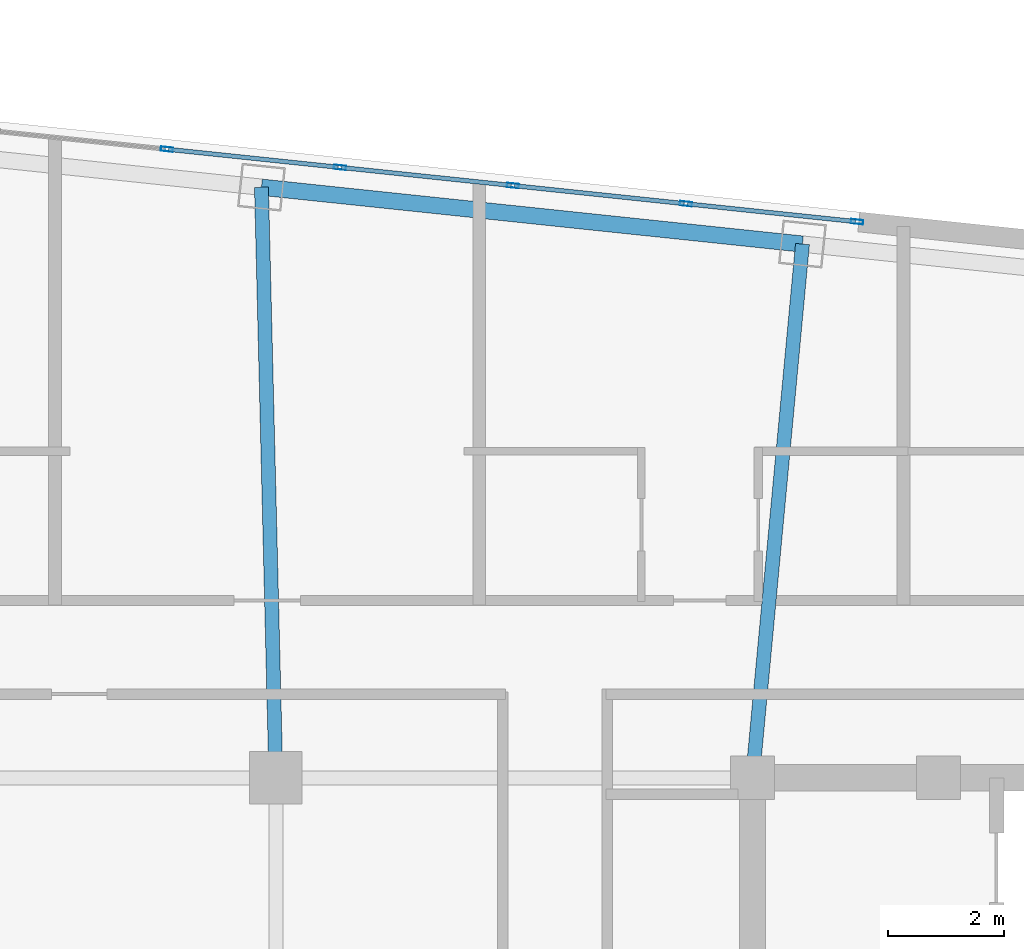
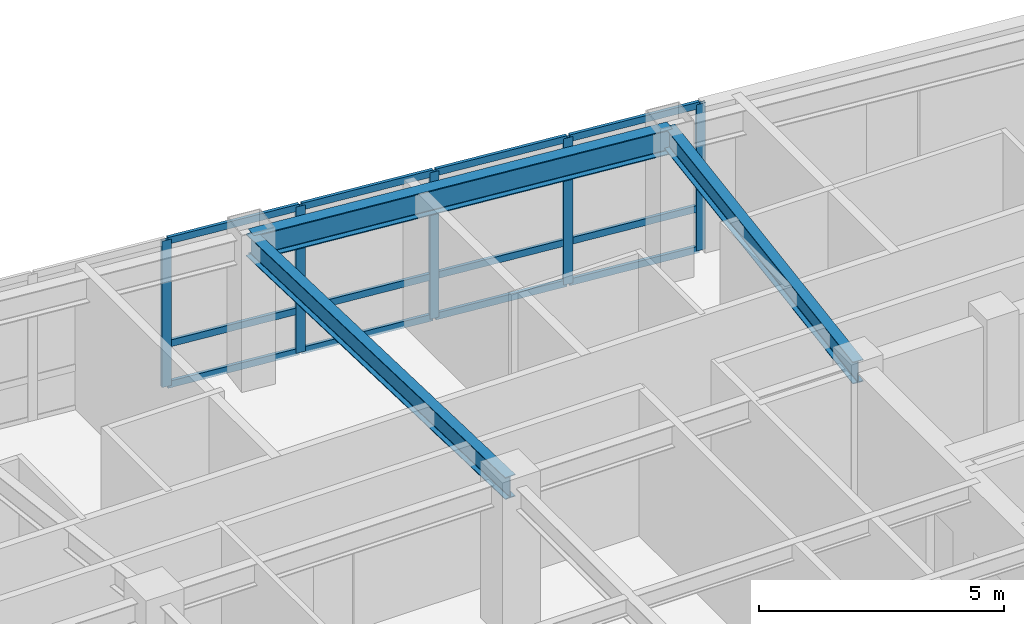
# One storey, part 6 of 15: 17 members, 3 beams, 1 element without a shape of its own.
"""IFC4 building model written with IfcOpenShell, lengths in metres."""

from ifc_helpers import new_model, si_unit, direction, frame, origin, origin_2d, place, context, subcontext, project, spatial, hollow_rectangle, i_section, extrude, material, layer, layer_set, material_profile, profile_set, type_object, element, aggregate, save


model = new_model("IFC4")

# Units and contexts
model_context = context("Model", 3, precision=1e-05, world=origin(), true_north=direction((0.0, 1.0)))
body_context = subcontext(model_context, "Body", "Model", "MODEL_VIEW")
ifc_project = project(units=[si_unit("LENGTHUNIT", "METRE"), si_unit("AREAUNIT", "SQUARE_METRE"), si_unit("VOLUMEUNIT", "CUBIC_METRE"), si_unit("PLANEANGLEUNIT", "RADIAN"), si_unit("MASSUNIT", "GRAM", prefix="KILO")], contexts=[model_context])

# Site, building, storey
site_placement = place(None, origin())
site = spatial("IfcSite", under=ifc_project, at=site_placement, CompositionType="ELEMENT")
building_placement = place(site_placement, origin())
building = spatial("IfcBuilding", under=site, at=building_placement, Name="Voryun Gate Residences", CompositionType="ELEMENT")
storey_placement = place(building_placement, frame((0.0, 0.0, 263.89990234375)))
storey = spatial("IfcBuildingStorey", under=building, at=storey_placement, Name="L65", CompositionType="ELEMENT", Elevation=263.89990234375)

# Beams
ifc_material_1 = material(Name="Steel SM355", Category="steel")
ifc_material_profile_1 = material_profile(ifc_material_1, i_section(OverallWidth=0.280029296875, OverallDepth=0.6201171875, WebThickness=0.013916015625, FlangeThickness=0.02197265625, FilletRadius=0.01806640625, at=origin_2d()), Name="H-620x280x14x22")
ifc_profile_set_1 = profile_set([ifc_material_profile_1], Name="Steel SM355")
beam_type_1 = type_object("IfcBeamType", Name="BM_EXO_SPANDREL_H", PredefinedType="SPANDREL", material=ifc_profile_set_1)
beam_1_placement = place(storey_placement, frame((13.26025390625, 16.5830078125, 3.340087890625), z_axis=(-0.994523018663, 0.104517775278, 0.0), x_axis=(-0.104517775278, -0.994523018663, 0.0)))
element("IfcBeam", 1, at=beam_1_placement, inside=storey, type_object=beam_type_1, Name="BM-L65-SPAND-12", PredefinedType="SPANDREL", context=body_context, shape_type="SweptSolid", body=[
    extrude(i_section(OverallWidth=0.280029296875, OverallDepth=0.6201171875, WebThickness=0.013916015625, FlangeThickness=0.02197265625, FilletRadius=0.01806640625, at=origin_2d()), origin(), (0.0, 0.0, 1.0), 9.35986328125),
])
ifc_material_2 = material(Name="Steel SM355", Category="steel")
ifc_material_profile_2 = material_profile(ifc_material_2, i_section(OverallWidth=0.239990234375, OverallDepth=0.550048828125, WebThickness=0.011962890625, FlangeThickness=0.02001953125, FilletRadius=0.01806640625, at=origin_2d()), Name="H-550x240x12x20")
ifc_profile_set_2 = profile_set([ifc_material_profile_2], Name="Steel SM355")
beam_type_2 = type_object("IfcBeamType", Name="BM_GIRD_550", PredefinedType="USERDEFINED", material=ifc_profile_set_2)
beam_2_placement = place(storey_placement, frame((12.39990234375, 7.39990234375, 3.375), z_axis=(0.093280030115, 0.995639912811, 0.0), x_axis=(-0.995639912811, 0.093280030115, 0.0)))
element("IfcBeam", 2, at=beam_2_placement, inside=storey, type_object=beam_type_2, Name="BM-L65-RAD-N2", ObjectType="GIRDER", PredefinedType="USERDEFINED", context=body_context, shape_type="SweptSolid", body=[
    extrude(i_section(OverallWidth=0.239990234375, OverallDepth=0.550048828125, WebThickness=0.011962890625, FlangeThickness=0.02001953125, FilletRadius=0.01806640625, at=origin_2d()), origin(), (0.0, 0.0, 1.0), 9.223388671875),
])
beam_3_placement = place(storey_placement, frame((4.199951171875, 7.39990234375, 3.375), z_axis=(-0.024427489288, 0.999701604364, 0.0), x_axis=(-0.999701604364, -0.024427489288, 0.0)))
element("IfcBeam", 3, at=beam_3_placement, inside=storey, type_object=beam_type_2, Name="BM-L65-RAD-N3", ObjectType="GIRDER", PredefinedType="USERDEFINED", context=body_context, shape_type="SweptSolid", body=[
    extrude(i_section(OverallWidth=0.239990234375, OverallDepth=0.550048828125, WebThickness=0.011962890625, FlangeThickness=0.02001953125, FilletRadius=0.01806640625, at=origin_2d()), origin(), (0.0, 0.0, 1.0), 10.164306640625),
])

# Curtain wall, members
ifc_material_3 = material(Name="Anodised aluminium", Category="aluminium")
ifc_layer = layer(ifc_material_3, 0.2099609375, Name="CW_SYS_SKYGARDEN_DARK_GLASS")
ifc_layer_set = layer_set([ifc_layer], Name="Anodised aluminium")
curtain_wall_type = type_object("IfcCurtainWallType", Name="CW_SYS_SKYGARDEN_DARK_GLASS", PredefinedType="NOTDEFINED", material=ifc_layer_set)
curtain_wall_placement = place(storey_placement, origin())
curtain_wall = element("IfcCurtainWall", 4, at=curtain_wall_placement, inside=storey, type_object=curtain_wall_type, Name="Curtain wall CW5-L65-SG-11", PredefinedType="NOTDEFINED")
ifc_material_4 = material(Name="Anodised aluminium", Category="aluminium")
ifc_material_profile_3 = material_profile(ifc_material_4, hollow_rectangle(XDim=0.074951171875, YDim=0.2099609375, WallThickness=0.0048828125, at=origin_2d()), Name="ALU-MULL-210x75x5")
ifc_profile_set_3 = profile_set([ifc_material_profile_3], Name="Anodised aluminium")
member_type_1 = type_object("IfcMemberType", Name="CW_MULL_SKY", PredefinedType="MULLION", material=ifc_profile_set_3)
member_1_placement = place(storey_placement, frame((2.323974609375, 18.215087890625, 0.0), z_axis=(0.0, 0.0, 1.0), x_axis=(0.104532256285, 0.994521496699, 0.0)))
member_1 = element("IfcMember", 5, at=member_1_placement, type_object=member_type_1, Name="CW5 mullion 7", PredefinedType="MULLION", context=body_context, shape_type="SweptSolid", body=[
    extrude(hollow_rectangle(XDim=0.074951171875, YDim=0.2099609375, WallThickness=0.0048828125, at=origin_2d()), origin(), (0.0, 0.0, 1.0), 3.650146484375),
])
member_2_placement = place(storey_placement, frame((5.300537109375, 17.902099609375, 0.0), z_axis=(0.0, 0.0, 1.0), x_axis=(0.104532256285, 0.994521496699, 0.0)))
member_2 = element("IfcMember", 6, at=member_2_placement, type_object=member_type_1, Name="CW5 mullion 8", PredefinedType="MULLION", context=body_context, shape_type="SweptSolid", body=[
    extrude(hollow_rectangle(XDim=0.074951171875, YDim=0.2099609375, WallThickness=0.0048828125, at=origin_2d()), origin(), (0.0, 0.0, 1.0), 3.650146484375),
])
member_3_placement = place(storey_placement, frame((8.27734375, 17.58935546875, 0.0), z_axis=(0.0, 0.0, 1.0), x_axis=(0.104532256285, 0.994521496699, 0.0)))
member_3 = element("IfcMember", 7, at=member_3_placement, type_object=member_type_1, Name="CW5 mullion 9", PredefinedType="MULLION", context=body_context, shape_type="SweptSolid", body=[
    extrude(hollow_rectangle(XDim=0.074951171875, YDim=0.2099609375, WallThickness=0.0048828125, at=origin_2d()), origin(), (0.0, 0.0, 1.0), 3.650146484375),
])
member_4_placement = place(storey_placement, frame((11.25390625, 17.2763671875, 0.0), z_axis=(0.0, 0.0, 1.0), x_axis=(0.104532256285, 0.994521496699, 0.0)))
member_4 = element("IfcMember", 8, at=member_4_placement, type_object=member_type_1, Name="CW5 mullion 10", PredefinedType="MULLION", context=body_context, shape_type="SweptSolid", body=[
    extrude(hollow_rectangle(XDim=0.074951171875, YDim=0.2099609375, WallThickness=0.0048828125, at=origin_2d()), origin(), (0.0, 0.0, 1.0), 3.650146484375),
])
member_5_placement = place(storey_placement, frame((14.20068359375, 16.966796875, 0.0), z_axis=(0.0, 0.0, 1.0), x_axis=(0.104532256285, 0.994521496699, 0.0)))
member_5 = element("IfcMember", 9, at=member_5_placement, type_object=member_type_1, Name="CW5 mullion 11", PredefinedType="MULLION", context=body_context, shape_type="SweptSolid", body=[
    extrude(hollow_rectangle(XDim=0.074951171875, YDim=0.2099609375, WallThickness=0.0048828125, at=origin_2d()), origin(), (0.0, 0.0, 1.0), 3.650146484375),
])
ifc_material_5 = material(Name="Anodised aluminium", Category="aluminium")
ifc_material_profile_4 = material_profile(ifc_material_5, hollow_rectangle(XDim=0.074951171875, YDim=0.169921875, WallThickness=0.0048828125, at=origin_2d()), Name="ALU-TRAN-170x75x5")
ifc_profile_set_4 = profile_set([ifc_material_profile_4], Name="Anodised aluminium")
member_type_2 = type_object("IfcMemberType", Name="CW_TRAN_SKY", PredefinedType="USERDEFINED", material=ifc_profile_set_4)
member_6_placement = place(storey_placement, frame((2.353759765625, 18.2119140625, 0.030029296875), z_axis=(0.994520038301, -0.104546130575, 0.0), x_axis=(0.104546130575, 0.994520038301, 0.0)))
member_6 = element("IfcMember", 10, at=member_6_placement, type_object=member_type_2, Name="CW5 transom 7.1", ObjectType="TRANSOM", PredefinedType="USERDEFINED", context=body_context, shape_type="SweptSolid", body=[
    extrude(hollow_rectangle(XDim=0.074951171875, YDim=0.169921875, WallThickness=0.0048828125, at=origin_2d()), origin(), (0.0, 0.0, 1.0), 2.93310546875),
])
member_7_placement = place(storey_placement, frame((2.353759765625, 18.2119140625, 1.050048828125), z_axis=(0.994520038301, -0.104546130575, 0.0), x_axis=(0.104546130575, 0.994520038301, 0.0)))
member_7 = element("IfcMember", 11, at=member_7_placement, type_object=member_type_2, Name="CW5 transom 7.2", ObjectType="TRANSOM", PredefinedType="USERDEFINED", context=body_context, shape_type="SweptSolid", body=[
    extrude(hollow_rectangle(XDim=0.074951171875, YDim=0.169921875, WallThickness=0.0048828125, at=origin_2d()), origin(), (0.0, 0.0, 1.0), 2.93310546875),
])
member_8_placement = place(storey_placement, frame((2.353759765625, 18.2119140625, 3.6201171875), z_axis=(0.994520038301, -0.104546130575, 0.0), x_axis=(0.104546130575, 0.994520038301, 0.0)))
member_8 = element("IfcMember", 12, at=member_8_placement, type_object=member_type_2, Name="CW5 transom 7.3", ObjectType="TRANSOM", PredefinedType="USERDEFINED", context=body_context, shape_type="SweptSolid", body=[
    extrude(hollow_rectangle(XDim=0.074951171875, YDim=0.169921875, WallThickness=0.0048828125, at=origin_2d()), origin(), (0.0, 0.0, 1.0), 2.93310546875),
])
member_9_placement = place(storey_placement, frame((5.33056640625, 17.899169921875, 0.030029296875), z_axis=(0.994520038301, -0.104546130575, 0.0), x_axis=(0.104546130575, 0.994520038301, 0.0)))
member_9 = element("IfcMember", 13, at=member_9_placement, type_object=member_type_2, Name="CW5 transom 8.1", ObjectType="TRANSOM", PredefinedType="USERDEFINED", context=body_context, shape_type="SweptSolid", body=[
    extrude(hollow_rectangle(XDim=0.074951171875, YDim=0.169921875, WallThickness=0.0048828125, at=origin_2d()), origin(), (0.0, 0.0, 1.0), 2.93310546875),
])
member_10_placement = place(storey_placement, frame((5.33056640625, 17.899169921875, 1.050048828125), z_axis=(0.994520038301, -0.104546130575, 0.0), x_axis=(0.104546130575, 0.994520038301, 0.0)))
member_10 = element("IfcMember", 14, at=member_10_placement, type_object=member_type_2, Name="CW5 transom 8.2", ObjectType="TRANSOM", PredefinedType="USERDEFINED", context=body_context, shape_type="SweptSolid", body=[
    extrude(hollow_rectangle(XDim=0.074951171875, YDim=0.169921875, WallThickness=0.0048828125, at=origin_2d()), origin(), (0.0, 0.0, 1.0), 2.93310546875),
])
member_11_placement = place(storey_placement, frame((5.33056640625, 17.899169921875, 3.6201171875), z_axis=(0.994520038301, -0.104546130575, 0.0), x_axis=(0.104546130575, 0.994520038301, 0.0)))
member_11 = element("IfcMember", 15, at=member_11_placement, type_object=member_type_2, Name="CW5 transom 8.3", ObjectType="TRANSOM", PredefinedType="USERDEFINED", context=body_context, shape_type="SweptSolid", body=[
    extrude(hollow_rectangle(XDim=0.074951171875, YDim=0.169921875, WallThickness=0.0048828125, at=origin_2d()), origin(), (0.0, 0.0, 1.0), 2.93310546875),
])
member_12_placement = place(storey_placement, frame((8.30712890625, 17.586181640625, 0.030029296875), z_axis=(0.994520038301, -0.104546130575, 0.0), x_axis=(0.104546130575, 0.994520038301, 0.0)))
member_12 = element("IfcMember", 16, at=member_12_placement, type_object=member_type_2, Name="CW5 transom 9.1", ObjectType="TRANSOM", PredefinedType="USERDEFINED", context=body_context, shape_type="SweptSolid", body=[
    extrude(hollow_rectangle(XDim=0.074951171875, YDim=0.169921875, WallThickness=0.0048828125, at=origin_2d()), origin(), (0.0, 0.0, 1.0), 2.93310546875),
])
member_13_placement = place(storey_placement, frame((8.30712890625, 17.586181640625, 1.050048828125), z_axis=(0.994520038301, -0.104546130575, 0.0), x_axis=(0.104546130575, 0.994520038301, 0.0)))
member_13 = element("IfcMember", 17, at=member_13_placement, type_object=member_type_2, Name="CW5 transom 9.2", ObjectType="TRANSOM", PredefinedType="USERDEFINED", context=body_context, shape_type="SweptSolid", body=[
    extrude(hollow_rectangle(XDim=0.074951171875, YDim=0.169921875, WallThickness=0.0048828125, at=origin_2d()), origin(), (0.0, 0.0, 1.0), 2.93310546875),
])
member_14_placement = place(storey_placement, frame((8.30712890625, 17.586181640625, 3.6201171875), z_axis=(0.994520038301, -0.104546130575, 0.0), x_axis=(0.104546130575, 0.994520038301, 0.0)))
member_14 = element("IfcMember", 18, at=member_14_placement, type_object=member_type_2, Name="CW5 transom 9.3", ObjectType="TRANSOM", PredefinedType="USERDEFINED", context=body_context, shape_type="SweptSolid", body=[
    extrude(hollow_rectangle(XDim=0.074951171875, YDim=0.169921875, WallThickness=0.0048828125, at=origin_2d()), origin(), (0.0, 0.0, 1.0), 2.93310546875),
])
member_15_placement = place(storey_placement, frame((11.28369140625, 17.2734375, 0.030029296875), z_axis=(0.994521569156, -0.104531566925, 0.0), x_axis=(0.104531566925, 0.994521569156, 0.0)))
member_15 = element("IfcMember", 19, at=member_15_placement, type_object=member_type_2, Name="CW5 transom 10.1", ObjectType="TRANSOM", PredefinedType="USERDEFINED", context=body_context, shape_type="SweptSolid", body=[
    extrude(hollow_rectangle(XDim=0.074951171875, YDim=0.169921875, WallThickness=0.0048828125, at=origin_2d()), origin(), (0.0, 0.0, 1.0), 2.903076171875),
])
member_16_placement = place(storey_placement, frame((11.28369140625, 17.2734375, 1.050048828125), z_axis=(0.994521569156, -0.104531566925, 0.0), x_axis=(0.104531566925, 0.994521569156, 0.0)))
member_16 = element("IfcMember", 20, at=member_16_placement, type_object=member_type_2, Name="CW5 transom 10.2", ObjectType="TRANSOM", PredefinedType="USERDEFINED", context=body_context, shape_type="SweptSolid", body=[
    extrude(hollow_rectangle(XDim=0.074951171875, YDim=0.169921875, WallThickness=0.0048828125, at=origin_2d()), origin(), (0.0, 0.0, 1.0), 2.903076171875),
])
member_17_placement = place(storey_placement, frame((11.28369140625, 17.2734375, 3.6201171875), z_axis=(0.994521569156, -0.104531566925, 0.0), x_axis=(0.104531566925, 0.994521569156, 0.0)))
member_17 = element("IfcMember", 21, at=member_17_placement, type_object=member_type_2, Name="CW5 transom 10.3", ObjectType="TRANSOM", PredefinedType="USERDEFINED", context=body_context, shape_type="SweptSolid", body=[
    extrude(hollow_rectangle(XDim=0.074951171875, YDim=0.169921875, WallThickness=0.0048828125, at=origin_2d()), origin(), (0.0, 0.0, 1.0), 2.903076171875),
])
aggregate(curtain_wall, [member_1, member_2, member_3, member_4, member_5, member_6, member_7, member_8, member_9, member_10, member_11, member_12, member_13, member_14, member_15, member_16, member_17])

save(model, "model.ifc")
